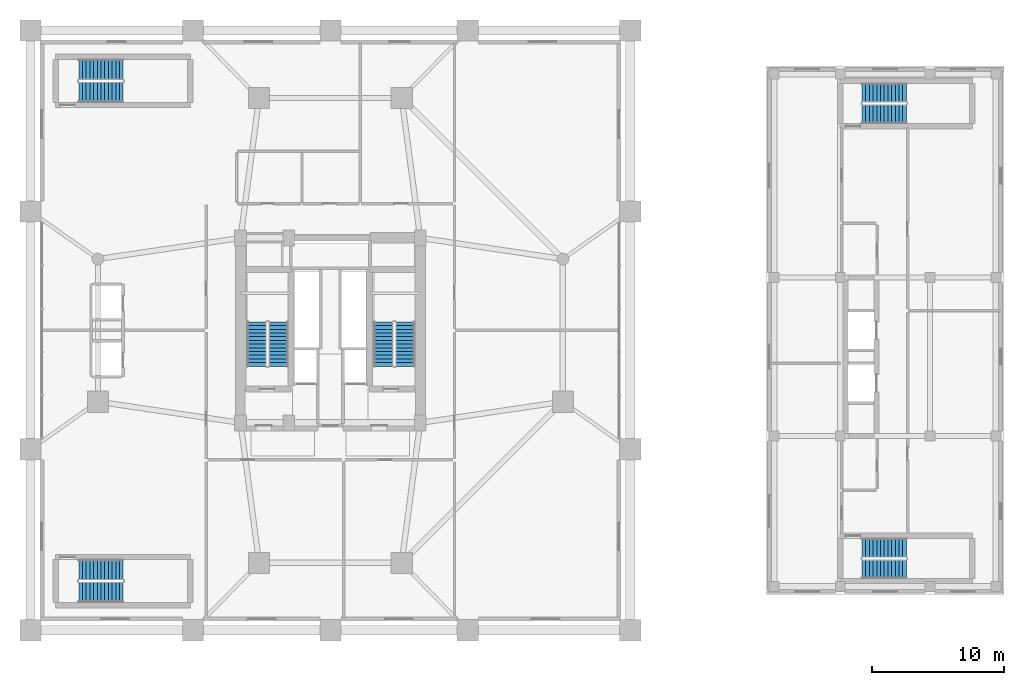
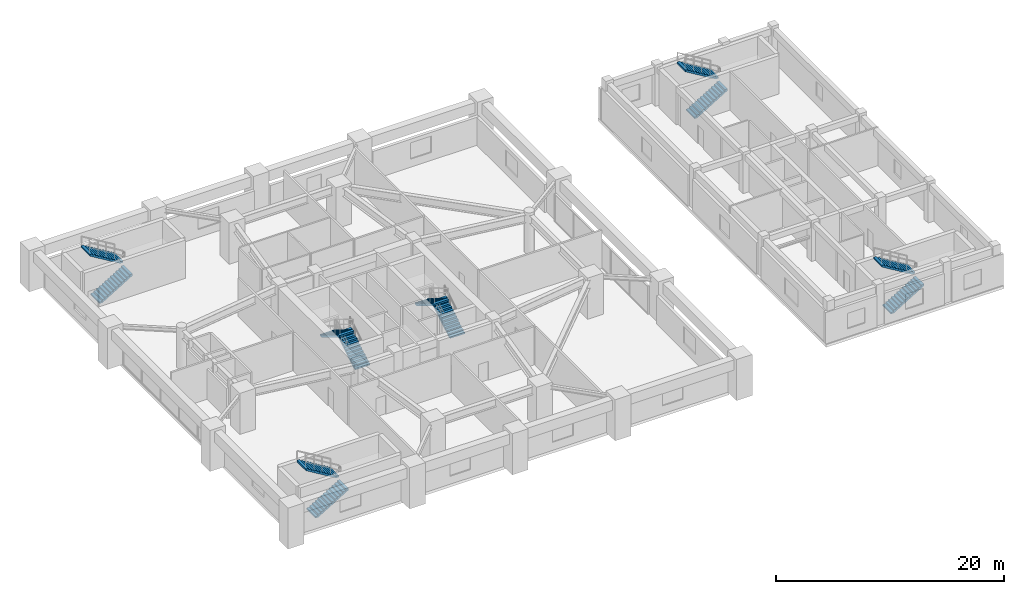
# One storey, part 18 of 22: 12 stair flights, 6 elements without a shape of their own.
"""IFC4 building model written with IfcOpenShell, lengths in metres."""

import ifcopenshell
import ifcopenshell.guid

model = None  # the IFC model being written
_history = None  # IfcOwnerHistory: only IFC2X3 demands one
_inside = {}  # id of a spatial element -> (the spatial element, [elements in it])
_under = {}  # id of a project, library or spatial element -> (it, [spatial elements below it])
_declared = {}  # id of a project -> (the project, [libraries it declares])
_typed = {}  # id of a type object -> (the type object, [elements of that type])
_made_of = {}  # id of a material, layer set ... -> (it, [elements and type objects made of it])


def new_model(schema):
    """Start an empty IFC model of exactly this schema.

    Asked for "IFC4X3", IfcOpenShell would pick the latest addendum, in which some entities
    have other attributes; the version numbers below select the first issue.
    IFC2X3 requires an IfcOwnerHistory on every rooted entity: one is made here for all.
    """
    global model, _history
    if schema == "IFC4X3":
        model = ifcopenshell.file(schema_version=(4, 3, 0, 0))
    else:
        model = ifcopenshell.file(schema=schema)
    _inside.clear()
    _under.clear()
    _declared.clear()
    _typed.clear()
    _made_of.clear()
    _history = None
    if model.schema == "IFC2X3":
        org = make("IfcOrganization", Name="unknown")
        user = make(
            "IfcPersonAndOrganization",
            ThePerson=make("IfcPerson", FamilyName="unknown"),
            TheOrganization=org,
        )
        app = make(
            "IfcApplication",
            ApplicationDeveloper=org,
            Version="unknown",
            ApplicationFullName="unknown",
            ApplicationIdentifier="unknown",
        )
        _history = make(
            "IfcOwnerHistory",
            OwningUser=user,
            OwningApplication=app,
            ChangeAction="ADDED",
            CreationDate=0,
        )
    return model


def make(cls, **values):
    """One entity of the class cls with the attributes given. An attribute that is None is left unset."""
    return model.create_entity(
        cls, **{name: value for name, value in values.items() if value is not None}
    )


def rooted(cls, **values):
    """An entity with a GlobalId (a new one), such as an element, a storey or a relation."""
    return make(cls, GlobalId=ifcopenshell.guid.new(), OwnerHistory=_history, **values)


def si_unit(unit_type, name, prefix=None):
    """IfcSIUnit, for example si_unit("LENGTHUNIT", "METRE", prefix="MILLI")."""
    return make("IfcSIUnit", UnitType=unit_type, Prefix=prefix, Name=name)


def assignment(units):
    """IfcUnitAssignment: the units of a project."""
    return None if units is None else make("IfcUnitAssignment", Units=units)


def point(xyz):
    """IfcCartesianPoint."""
    return None if xyz is None else make("IfcCartesianPoint", Coordinates=xyz)


def direction(xyz):
    """IfcDirection."""
    return None if xyz is None else make("IfcDirection", DirectionRatios=xyz)


def frame(location, z_axis=None, x_axis=None):
    """IfcAxis2Placement3D, a coordinate frame: its origin and axes. An axis left out is left unset."""
    return make(
        "IfcAxis2Placement3D",
        Location=point(location),
        Axis=direction(z_axis),
        RefDirection=direction(x_axis),
    )


def origin():
    """The frame at (0, 0, 0) with its axes left unset."""
    return frame((0.0, 0.0, 0.0))


def place(relative_to, where):
    """IfcLocalPlacement: puts the frame where relative to a parent placement (None: the world)."""
    return make(
        "IfcLocalPlacement", PlacementRelTo=relative_to, RelativePlacement=where
    )


def context(
    kind, dimensions, precision=None, world=None, true_north=None, identifier=None
):
    """IfcGeometricRepresentationContext, for example the 3D "Model" context."""
    return make(
        "IfcGeometricRepresentationContext",
        ContextIdentifier=identifier,
        ContextType=kind,
        CoordinateSpaceDimension=dimensions,
        Precision=precision,
        WorldCoordinateSystem=world,
        TrueNorth=true_north,
    )


def subcontext(parent, identifier, kind, view, scale=None):
    """IfcGeometricRepresentationSubContext, for example "Body" below "Model"."""
    return make(
        "IfcGeometricRepresentationSubContext",
        ContextIdentifier=identifier,
        ContextType=kind,
        ParentContext=parent,
        TargetScale=scale,
        TargetView=view,
    )


def project(units=None, contexts=None):
    """IfcProject with its units and contexts."""
    return rooted(
        "IfcProject",
        Name="project",
        RepresentationContexts=contexts,
        UnitsInContext=assignment(units),
    )


def spatial(cls, under=None, at=None, **own):
    """A site, building, storey or space (cls), placed at a placement, below another one or the project."""
    s = rooted(cls, ObjectPlacement=at, **own)
    if under is not None:
        _under.setdefault(under.id(), (under, []))[1].append(s)
    return s


def polyline(points):
    """IfcPolyline through the points."""
    return make("IfcPolyline", Points=[point(p) for p in points])


def outline(outer, holes=None, kind="AREA"):
    """IfcArbitraryClosedProfileDef: a profile drawn as a closed curve; with holes, ...WithVoids."""
    if holes is None:
        return make("IfcArbitraryClosedProfileDef", ProfileType=kind, OuterCurve=outer)
    return make(
        "IfcArbitraryProfileDefWithVoids",
        ProfileType=kind,
        OuterCurve=outer,
        InnerCurves=holes,
    )


def extrude(swept, where, along, depth):
    """IfcExtrudedAreaSolid: the profile swept, set in the frame where, extruded along a direction by depth."""
    return make(
        "IfcExtrudedAreaSolid",
        SweptArea=swept,
        Position=where,
        ExtrudedDirection=direction(along),
        Depth=depth,
    )


def shape(context_of_items, identifier, shape_type, items):
    """IfcShapeRepresentation: the items that make up one representation, for example the "Body"."""
    return make(
        "IfcShapeRepresentation",
        ContextOfItems=context_of_items,
        RepresentationIdentifier=identifier,
        RepresentationType=shape_type,
        Items=items,
    )


def material(Name=None, Category=None):
    """IfcMaterial."""
    return make("IfcMaterial", Name=Name, Category=Category)


def made_of(thing, what):
    """Note that an element or type object is made of a material, layer set ...; save() writes the relation."""
    if what is not None:
        _made_of.setdefault(what.id(), (what, []))[1].append(thing)
    return thing


def type_object(cls, material=None, **own):
    """A type object (cls), such as IfcWallType, which elements share."""
    return made_of(rooted(cls, **own), material)


def element(
    cls,
    number,
    at=None,
    inside=None,
    cuts=None,
    type_object=None,
    material=None,
    context=None,
    identifier="Body",
    shape_type=None,
    held_by="IfcProductDefinitionShape",
    body=None,
    shapes=None,
    **own,
):
    """One element of the class cls, such as IfcWall. Its Tag is "e" and its number.

    at: its placement. inside: the storey or other place that contains it. cuts: it is an
    opening in that element (IfcRelVoidsElement). A single representation is given by context,
    identifier, shape_type and body (its items); several are given by shapes. held_by: the class
    of the entity that holds the representations. save() writes the other relations.
    """
    e = rooted(cls, Tag="e%d" % number, ObjectPlacement=at, **own)
    if body is not None:
        shapes = [shape(context, identifier, shape_type, body)]
    if shapes is not None:
        e.Representation = make(held_by, Representations=shapes)
    if inside is not None:
        _inside.setdefault(inside.id(), (inside, []))[1].append(e)
    if cuts is not None:
        rooted(
            "IfcRelVoidsElement", RelatingBuildingElement=cuts, RelatedOpeningElement=e
        )
    if type_object is not None:
        _typed.setdefault(type_object.id(), (type_object, []))[1].append(e)
    return made_of(e, material)


def aggregate(whole, parts):
    """IfcRelAggregates: a whole, such as a stair, and the parts it consists of."""
    return rooted("IfcRelAggregates", RelatingObject=whole, RelatedObjects=parts)


def save(model, path):
    """Write the relations noted so far, then the file.

    IfcRelAggregates (storeys below a building ...), IfcRelContainedInSpatialStructure (elements
    in a storey), IfcRelDefinesByType, IfcRelAssociatesMaterial and IfcRelDeclares: one each for
    every whole, place, type object, material and project.
    """
    for whole, parts in _under.values():
        aggregate(whole, parts)
    for where, things in _inside.values():
        rooted(
            "IfcRelContainedInSpatialStructure",
            RelatedElements=things,
            RelatingStructure=where,
        )
    for kind, things in _typed.values():
        rooted("IfcRelDefinesByType", RelatedObjects=things, RelatingType=kind)
    for what, things in _made_of.values():
        rooted("IfcRelAssociatesMaterial", RelatedObjects=things, RelatingMaterial=what)
    for by, libraries in _declared.values():
        rooted("IfcRelDeclares", RelatingContext=by, RelatedDefinitions=libraries)
    model.write(path)


model = new_model("IFC4")

# Units and contexts
model_context = context("Model", 3, precision=1e-05, world=origin(), true_north=direction((0.0, 1.0)))
body_context = subcontext(model_context, "Body", "Model", "MODEL_VIEW")
ifc_project = project(units=[si_unit("LENGTHUNIT", "METRE"), si_unit("AREAUNIT", "SQUARE_METRE"), si_unit("VOLUMEUNIT", "CUBIC_METRE"), si_unit("PLANEANGLEUNIT", "RADIAN"), si_unit("MASSUNIT", "GRAM", prefix="KILO")], contexts=[model_context])

# Site, building, storey
site_placement = place(None, origin())
site = spatial("IfcSite", under=ifc_project, at=site_placement, CompositionType="ELEMENT")
building_placement = place(site_placement, origin())
building = spatial("IfcBuilding", under=site, at=building_placement, Name="Veraguas Prism Commons", CompositionType="ELEMENT")
storey_placement = place(building_placement, frame((0.0, 0.0, 5.199951171875)))
storey = spatial("IfcBuildingStorey", under=building, at=storey_placement, Name="L01", CompositionType="ELEMENT", Elevation=5.199951171875)

# Stair, stair flights
ifc_material = material(Name="Precast concrete C45/55", Category="concrete")
stair_type_1 = type_object("IfcStairType", Name="Dogleg Core Stair 1450W 26R 14", PredefinedType="HALF_TURN_STAIR", material=ifc_material)
stair_1_placement = place(storey_placement, origin())
stair_1 = element("IfcStair", 1, at=stair_1_placement, inside=storey, type_object=stair_type_1, Name="Protected Exit Stair ST-H1 L01", PredefinedType="HALF_TURN_STAIR")
stair_flight_type_1 = type_object("IfcStairFlightType", Name="Precast Stair Flight 1450W 13R 14", PredefinedType="STRAIGHT", material=ifc_material)
stair_flight_1_placement = place(storey_placement, frame((64.25, 5.925048828125, 0.0), z_axis=(0.0, 0.0, 1.0), x_axis=(1.0, 0.0, 0.0)))
stair_flight_1 = element("IfcStairFlight", 2, at=stair_flight_1_placement, type_object=stair_flight_type_1, Name="ST-14 Flight 1", NumberOfRisers=13, NumberOfTreads=12, PredefinedType="STRAIGHT", RiserHeight=0.169230769, TreadLength=0.28, context=body_context, shape_type="SweptSolid", body=[
    extrude(outline(polyline([(0.0, 0.0), (0.0, 0.169189453125), (0.280029296875, 0.169189453125), (0.280029296875, 0.33837890625), (0.56005859375, 0.33837890625), (0.56005859375, 0.5078125), (0.840087890625, 0.5078125), (0.840087890625, 0.677001953125), (1.1201171875, 0.677001953125), (1.1201171875, 0.84619140625), (1.39990234375, 0.84619140625), (1.39990234375, 1.015380859375), (1.679931640625, 1.015380859375), (1.679931640625, 1.1845703125), (1.9599609375, 1.1845703125), (1.9599609375, 1.353759765625), (2.239990234375, 1.353759765625), (2.239990234375, 1.523193359375), (2.52001953125, 1.523193359375), (2.52001953125, 1.6923828125), (2.800048828125, 1.6923828125), (2.800048828125, 1.861572265625), (3.080078125, 1.861572265625), (3.080078125, 2.03076171875), (3.360107421875, 2.03076171875), (3.360107421875, 2.199951171875), (3.360107421875, 1.855712890625), (0.289794921875, 0.0), (0.0, 0.0)])), frame((0.0, 0.72509765625, 0.0), z_axis=(0.0, -1.0, 0.0), x_axis=(1.0, 0.0, 0.0)), (0.0, 0.0, 1.0), 1.449951171875),
])
stair_flight_2_placement = place(storey_placement, frame((67.610107421875, 7.52490234375, 2.199951171875), z_axis=(0.0, 0.0, 1.0), x_axis=(-1.0, 0.0, 0.0)))
stair_flight_2 = element("IfcStairFlight", 3, at=stair_flight_2_placement, type_object=stair_flight_type_1, Name="ST-14 Flight 2", NumberOfRisers=13, NumberOfTreads=12, PredefinedType="STRAIGHT", RiserHeight=0.169230769, TreadLength=0.28, context=body_context, shape_type="SweptSolid", body=[
    extrude(outline(polyline([(0.0, 0.0), (0.0, 0.169189453125), (0.280029296875, 0.169189453125), (0.280029296875, 0.33837890625), (0.56005859375, 0.33837890625), (0.56005859375, 0.5078125), (0.840087890625, 0.5078125), (0.840087890625, 0.677001953125), (1.1201171875, 0.677001953125), (1.1201171875, 0.84619140625), (1.39990234375, 0.84619140625), (1.39990234375, 1.015380859375), (1.679931640625, 1.015380859375), (1.679931640625, 1.1845703125), (1.9599609375, 1.1845703125), (1.9599609375, 1.353759765625), (2.239990234375, 1.353759765625), (2.239990234375, 1.523193359375), (2.52001953125, 1.523193359375), (2.52001953125, 1.6923828125), (2.800048828125, 1.6923828125), (2.800048828125, 1.861572265625), (3.080078125, 1.861572265625), (3.080078125, 2.03076171875), (3.360107421875, 2.03076171875), (3.360107421875, 2.199951171875), (3.360107421875, 1.855712890625), (0.289794921875, 0.0), (0.0, 0.0)])), frame((0.0, 0.72509765625, 0.0), z_axis=(0.0, -1.0, 0.0), x_axis=(1.0, 0.0, 0.0)), (0.0, 0.0, 1.0), 1.449951171875),
])
aggregate(stair_1, [stair_flight_1, stair_flight_2])

stair_2_placement = place(storey_placement, origin())
stair_2 = element("IfcStair", 4, at=stair_2_placement, inside=storey, type_object=stair_type_1, Name="Protected Exit Stair ST-H2 L01", PredefinedType="HALF_TURN_STAIR")
stair_flight_3_placement = place(storey_placement, frame((64.25, 40.385009765625, 0.0), z_axis=(0.0, 0.0, 1.0), x_axis=(1.0, 0.0, 0.0)))
stair_flight_3 = element("IfcStairFlight", 5, at=stair_flight_3_placement, type_object=stair_flight_type_1, Name="ST-14 Flight 1", NumberOfRisers=13, NumberOfTreads=12, PredefinedType="STRAIGHT", RiserHeight=0.169230769, TreadLength=0.28, context=body_context, shape_type="SweptSolid", body=[
    extrude(outline(polyline([(0.0, 0.0), (0.0, 0.169189453125), (0.280029296875, 0.169189453125), (0.280029296875, 0.33837890625), (0.56005859375, 0.33837890625), (0.56005859375, 0.5078125), (0.840087890625, 0.5078125), (0.840087890625, 0.677001953125), (1.1201171875, 0.677001953125), (1.1201171875, 0.84619140625), (1.39990234375, 0.84619140625), (1.39990234375, 1.015380859375), (1.679931640625, 1.015380859375), (1.679931640625, 1.1845703125), (1.9599609375, 1.1845703125), (1.9599609375, 1.353759765625), (2.239990234375, 1.353759765625), (2.239990234375, 1.523193359375), (2.52001953125, 1.523193359375), (2.52001953125, 1.6923828125), (2.800048828125, 1.6923828125), (2.800048828125, 1.861572265625), (3.080078125, 1.861572265625), (3.080078125, 2.03076171875), (3.360107421875, 2.03076171875), (3.360107421875, 2.199951171875), (3.360107421875, 1.855712890625), (0.289794921875, 0.0), (0.0, 0.0)])), frame((0.0, 0.72509765625, 0.0), z_axis=(0.0, -1.0, 0.0), x_axis=(1.0, 0.0, 0.0)), (0.0, 0.0, 1.0), 1.449951171875),
])
stair_flight_4_placement = place(storey_placement, frame((67.610107421875, 41.985107421875, 2.199951171875), z_axis=(0.0, 0.0, 1.0), x_axis=(-1.0, 0.0, 0.0)))
stair_flight_4 = element("IfcStairFlight", 6, at=stair_flight_4_placement, type_object=stair_flight_type_1, Name="ST-14 Flight 2", NumberOfRisers=13, NumberOfTreads=12, PredefinedType="STRAIGHT", RiserHeight=0.169230769, TreadLength=0.28, context=body_context, shape_type="SweptSolid", body=[
    extrude(outline(polyline([(0.0, 0.0), (0.0, 0.169189453125), (0.280029296875, 0.169189453125), (0.280029296875, 0.33837890625), (0.56005859375, 0.33837890625), (0.56005859375, 0.5078125), (0.840087890625, 0.5078125), (0.840087890625, 0.677001953125), (1.1201171875, 0.677001953125), (1.1201171875, 0.84619140625), (1.39990234375, 0.84619140625), (1.39990234375, 1.015380859375), (1.679931640625, 1.015380859375), (1.679931640625, 1.1845703125), (1.9599609375, 1.1845703125), (1.9599609375, 1.353759765625), (2.239990234375, 1.353759765625), (2.239990234375, 1.523193359375), (2.52001953125, 1.523193359375), (2.52001953125, 1.6923828125), (2.800048828125, 1.6923828125), (2.800048828125, 1.861572265625), (3.080078125, 1.861572265625), (3.080078125, 2.03076171875), (3.360107421875, 2.03076171875), (3.360107421875, 2.199951171875), (3.360107421875, 1.855712890625), (0.289794921875, 0.0), (0.0, 0.0)])), frame((0.0, 0.72509765625, 0.0), z_axis=(0.0, -1.0, 0.0), x_axis=(1.0, 0.0, 0.0)), (0.0, 0.0, 1.0), 1.449951171875),
])
aggregate(stair_2, [stair_flight_3, stair_flight_4])

stair_type_2 = type_object("IfcStairType", Name="Dogleg Core Stair 1480W 26R 03", PredefinedType="HALF_TURN_STAIR", material=ifc_material)
stair_3_placement = place(storey_placement, origin())
stair_3 = element("IfcStair", 7, at=stair_3_placement, inside=storey, type_object=stair_type_2, Name="Protected Exit Stair ST-01 L01", PredefinedType="HALF_TURN_STAIR")
stair_flight_type_2 = type_object("IfcStairFlightType", Name="Precast Stair Flight 1480W 13R 03", PredefinedType="STRAIGHT", material=ifc_material)
stair_flight_5_placement = place(storey_placement, frame((20.06005859375, 21.280029296875, 0.0), z_axis=(0.0, 0.0, 1.0), x_axis=(0.0, 1.0, 0.0)))
stair_flight_5 = element("IfcStairFlight", 8, at=stair_flight_5_placement, type_object=stair_flight_type_2, Name="ST-03 Flight 1", NumberOfRisers=13, NumberOfTreads=12, PredefinedType="STRAIGHT", RiserHeight=0.169230769, TreadLength=0.28, context=body_context, shape_type="SweptSolid", body=[
    extrude(outline(polyline([(0.0, 0.0), (0.0, 0.169189453125), (0.280029296875, 0.169189453125), (0.280029296875, 0.33837890625), (0.56005859375, 0.33837890625), (0.56005859375, 0.5078125), (0.840087890625, 0.5078125), (0.840087890625, 0.677001953125), (1.1201171875, 0.677001953125), (1.1201171875, 0.84619140625), (1.39990234375, 0.84619140625), (1.39990234375, 1.015380859375), (1.679931640625, 1.015380859375), (1.679931640625, 1.1845703125), (1.9599609375, 1.1845703125), (1.9599609375, 1.353759765625), (2.239990234375, 1.353759765625), (2.239990234375, 1.523193359375), (2.52001953125, 1.523193359375), (2.52001953125, 1.6923828125), (2.800048828125, 1.6923828125), (2.800048828125, 1.861572265625), (3.080078125, 1.861572265625), (3.080078125, 2.03076171875), (3.360107421875, 2.03076171875), (3.360107421875, 2.199951171875), (3.360107421875, 1.855712890625), (0.289794921875, 0.0), (0.0, 0.0)])), frame((0.0, 0.739990234375, 0.0), z_axis=(0.0, -1.0, 0.0), x_axis=(1.0, 0.0, 0.0)), (0.0, 0.0, 1.0), 1.47998046875),
])
stair_flight_6_placement = place(storey_placement, frame((18.429931640625, 24.639892578125, 2.199951171875), z_axis=(0.0, 0.0, 1.0), x_axis=(0.0, -1.0, 0.0)))
stair_flight_6 = element("IfcStairFlight", 9, at=stair_flight_6_placement, type_object=stair_flight_type_2, Name="ST-03 Flight 2", NumberOfRisers=13, NumberOfTreads=12, PredefinedType="STRAIGHT", RiserHeight=0.169230769, TreadLength=0.28, context=body_context, shape_type="SweptSolid", body=[
    extrude(outline(polyline([(0.0, 0.0), (0.0, 0.169189453125), (0.280029296875, 0.169189453125), (0.280029296875, 0.33837890625), (0.56005859375, 0.33837890625), (0.56005859375, 0.5078125), (0.840087890625, 0.5078125), (0.840087890625, 0.677001953125), (1.1201171875, 0.677001953125), (1.1201171875, 0.84619140625), (1.39990234375, 0.84619140625), (1.39990234375, 1.015380859375), (1.679931640625, 1.015380859375), (1.679931640625, 1.1845703125), (1.9599609375, 1.1845703125), (1.9599609375, 1.353759765625), (2.239990234375, 1.353759765625), (2.239990234375, 1.523193359375), (2.52001953125, 1.523193359375), (2.52001953125, 1.6923828125), (2.800048828125, 1.6923828125), (2.800048828125, 1.861572265625), (3.080078125, 1.861572265625), (3.080078125, 2.03076171875), (3.360107421875, 2.03076171875), (3.360107421875, 2.199951171875), (3.360107421875, 1.855712890625), (0.289794921875, 0.0), (0.0, 0.0)])), frame((0.0, 0.739990234375, 0.0), z_axis=(0.0, -1.0, 0.0), x_axis=(1.0, 0.0, 0.0)), (0.0, 0.0, 1.0), 1.47998046875),
])
aggregate(stair_3, [stair_flight_5, stair_flight_6])

stair_4_placement = place(storey_placement, origin())
stair_4 = element("IfcStair", 10, at=stair_4_placement, inside=storey, type_object=stair_type_2, Name="Protected Exit Stair ST-02 L01", PredefinedType="HALF_TURN_STAIR")
stair_flight_7_placement = place(storey_placement, frame((29.659912109375, 21.280029296875, 0.0), z_axis=(0.0, 0.0, 1.0), x_axis=(0.0, 1.0, 0.0)))
stair_flight_7 = element("IfcStairFlight", 11, at=stair_flight_7_placement, type_object=stair_flight_type_2, Name="ST-03 Flight 1", NumberOfRisers=13, NumberOfTreads=12, PredefinedType="STRAIGHT", RiserHeight=0.169230769, TreadLength=0.28, context=body_context, shape_type="SweptSolid", body=[
    extrude(outline(polyline([(0.0, 0.0), (0.0, 0.169189453125), (0.280029296875, 0.169189453125), (0.280029296875, 0.33837890625), (0.56005859375, 0.33837890625), (0.56005859375, 0.5078125), (0.840087890625, 0.5078125), (0.840087890625, 0.677001953125), (1.1201171875, 0.677001953125), (1.1201171875, 0.84619140625), (1.39990234375, 0.84619140625), (1.39990234375, 1.015380859375), (1.679931640625, 1.015380859375), (1.679931640625, 1.1845703125), (1.9599609375, 1.1845703125), (1.9599609375, 1.353759765625), (2.239990234375, 1.353759765625), (2.239990234375, 1.523193359375), (2.52001953125, 1.523193359375), (2.52001953125, 1.6923828125), (2.800048828125, 1.6923828125), (2.800048828125, 1.861572265625), (3.080078125, 1.861572265625), (3.080078125, 2.03076171875), (3.360107421875, 2.03076171875), (3.360107421875, 2.199951171875), (3.360107421875, 1.855712890625), (0.289794921875, 0.0), (0.0, 0.0)])), frame((0.0, 0.739990234375, 0.0), z_axis=(0.0, -1.0, 0.0), x_axis=(1.0, 0.0, 0.0)), (0.0, 0.0, 1.0), 1.47998046875),
])
stair_flight_8_placement = place(storey_placement, frame((28.030029296875, 24.639892578125, 2.199951171875), z_axis=(0.0, 0.0, 1.0), x_axis=(0.0, -1.0, 0.0)))
stair_flight_8 = element("IfcStairFlight", 12, at=stair_flight_8_placement, type_object=stair_flight_type_2, Name="ST-03 Flight 2", NumberOfRisers=13, NumberOfTreads=12, PredefinedType="STRAIGHT", RiserHeight=0.169230769, TreadLength=0.28, context=body_context, shape_type="SweptSolid", body=[
    extrude(outline(polyline([(0.0, 0.0), (0.0, 0.169189453125), (0.280029296875, 0.169189453125), (0.280029296875, 0.33837890625), (0.56005859375, 0.33837890625), (0.56005859375, 0.5078125), (0.840087890625, 0.5078125), (0.840087890625, 0.677001953125), (1.1201171875, 0.677001953125), (1.1201171875, 0.84619140625), (1.39990234375, 0.84619140625), (1.39990234375, 1.015380859375), (1.679931640625, 1.015380859375), (1.679931640625, 1.1845703125), (1.9599609375, 1.1845703125), (1.9599609375, 1.353759765625), (2.239990234375, 1.353759765625), (2.239990234375, 1.523193359375), (2.52001953125, 1.523193359375), (2.52001953125, 1.6923828125), (2.800048828125, 1.6923828125), (2.800048828125, 1.861572265625), (3.080078125, 1.861572265625), (3.080078125, 2.03076171875), (3.360107421875, 2.03076171875), (3.360107421875, 2.199951171875), (3.360107421875, 1.855712890625), (0.289794921875, 0.0), (0.0, 0.0)])), frame((0.0, 0.739990234375, 0.0), z_axis=(0.0, -1.0, 0.0), x_axis=(1.0, 0.0, 0.0)), (0.0, 0.0, 1.0), 1.47998046875),
])
aggregate(stair_4, [stair_flight_7, stair_flight_8])

stair_type_3 = type_object("IfcStairType", Name="Dogleg Core Stair 1550W 26R 11", PredefinedType="HALF_TURN_STAIR", material=ifc_material)
stair_5_placement = place(storey_placement, origin())
stair_5 = element("IfcStair", 13, at=stair_5_placement, inside=storey, type_object=stair_type_3, Name="Protected Exit Stair ST-M1 L01", PredefinedType="HALF_TURN_STAIR")
stair_flight_type_3 = type_object("IfcStairFlightType", Name="Precast Stair Flight 1550W 13R 11", PredefinedType="STRAIGHT", material=ifc_material)
stair_flight_9_placement = place(storey_placement, frame((4.949951171875, 4.175048828125, 0.0), z_axis=(0.0, 0.0, 1.0), x_axis=(1.0, 0.0, 0.0)))
stair_flight_9 = element("IfcStairFlight", 14, at=stair_flight_9_placement, type_object=stair_flight_type_3, Name="ST-11 Flight 1", NumberOfRisers=13, NumberOfTreads=12, PredefinedType="STRAIGHT", RiserHeight=0.169230769, TreadLength=0.28, context=body_context, shape_type="SweptSolid", body=[
    extrude(outline(polyline([(0.0, 0.0), (0.0, 0.169189453125), (0.280029296875, 0.169189453125), (0.280029296875, 0.33837890625), (0.56005859375, 0.33837890625), (0.56005859375, 0.5078125), (0.840087890625, 0.5078125), (0.840087890625, 0.677001953125), (1.1201171875, 0.677001953125), (1.1201171875, 0.84619140625), (1.39990234375, 0.84619140625), (1.39990234375, 1.015380859375), (1.679931640625, 1.015380859375), (1.679931640625, 1.1845703125), (1.9599609375, 1.1845703125), (1.9599609375, 1.353759765625), (2.239990234375, 1.353759765625), (2.239990234375, 1.523193359375), (2.52001953125, 1.523193359375), (2.52001953125, 1.6923828125), (2.800048828125, 1.6923828125), (2.800048828125, 1.861572265625), (3.080078125, 1.861572265625), (3.080078125, 2.03076171875), (3.360107421875, 2.03076171875), (3.360107421875, 2.199951171875), (3.360107421875, 1.855712890625), (0.289794921875, 0.0), (0.0, 0.0)])), frame((0.0, 0.77490234375, 0.0), z_axis=(0.0, -1.0, 0.0), x_axis=(1.0, 0.0, 0.0)), (0.0, 0.0, 1.0), 1.550048828125),
])
stair_flight_10_placement = place(storey_placement, frame((8.31005859375, 5.875, 2.199951171875), z_axis=(0.0, 0.0, 1.0), x_axis=(-1.0, 0.0, 0.0)))
stair_flight_10 = element("IfcStairFlight", 15, at=stair_flight_10_placement, type_object=stair_flight_type_3, Name="ST-11 Flight 2", NumberOfRisers=13, NumberOfTreads=12, PredefinedType="STRAIGHT", RiserHeight=0.169230769, TreadLength=0.28, context=body_context, shape_type="SweptSolid", body=[
    extrude(outline(polyline([(0.0, 0.0), (0.0, 0.169189453125), (0.280029296875, 0.169189453125), (0.280029296875, 0.33837890625), (0.56005859375, 0.33837890625), (0.56005859375, 0.5078125), (0.840087890625, 0.5078125), (0.840087890625, 0.677001953125), (1.1201171875, 0.677001953125), (1.1201171875, 0.84619140625), (1.39990234375, 0.84619140625), (1.39990234375, 1.015380859375), (1.679931640625, 1.015380859375), (1.679931640625, 1.1845703125), (1.9599609375, 1.1845703125), (1.9599609375, 1.353759765625), (2.239990234375, 1.353759765625), (2.239990234375, 1.523193359375), (2.52001953125, 1.523193359375), (2.52001953125, 1.6923828125), (2.800048828125, 1.6923828125), (2.800048828125, 1.861572265625), (3.080078125, 1.861572265625), (3.080078125, 2.03076171875), (3.360107421875, 2.03076171875), (3.360107421875, 2.199951171875), (3.360107421875, 1.855712890625), (0.289794921875, 0.0), (0.0, 0.0)])), frame((0.0, 0.77490234375, 0.0), z_axis=(0.0, -1.0, 0.0), x_axis=(1.0, 0.0, 0.0)), (0.0, 0.0, 1.0), 1.550048828125),
])
aggregate(stair_5, [stair_flight_9, stair_flight_10])

stair_6_placement = place(storey_placement, origin())
stair_6 = element("IfcStair", 16, at=stair_6_placement, inside=storey, type_object=stair_type_3, Name="Protected Exit Stair ST-M2 L01", PredefinedType="HALF_TURN_STAIR")
stair_flight_11_placement = place(storey_placement, frame((4.949951171875, 42.034912109375, 0.0), z_axis=(0.0, 0.0, 1.0), x_axis=(1.0, 0.0, 0.0)))
stair_flight_11 = element("IfcStairFlight", 17, at=stair_flight_11_placement, type_object=stair_flight_type_3, Name="ST-11 Flight 1", NumberOfRisers=13, NumberOfTreads=12, PredefinedType="STRAIGHT", RiserHeight=0.169230769, TreadLength=0.28, context=body_context, shape_type="SweptSolid", body=[
    extrude(outline(polyline([(0.0, 0.0), (0.0, 0.169189453125), (0.280029296875, 0.169189453125), (0.280029296875, 0.33837890625), (0.56005859375, 0.33837890625), (0.56005859375, 0.5078125), (0.840087890625, 0.5078125), (0.840087890625, 0.677001953125), (1.1201171875, 0.677001953125), (1.1201171875, 0.84619140625), (1.39990234375, 0.84619140625), (1.39990234375, 1.015380859375), (1.679931640625, 1.015380859375), (1.679931640625, 1.1845703125), (1.9599609375, 1.1845703125), (1.9599609375, 1.353759765625), (2.239990234375, 1.353759765625), (2.239990234375, 1.523193359375), (2.52001953125, 1.523193359375), (2.52001953125, 1.6923828125), (2.800048828125, 1.6923828125), (2.800048828125, 1.861572265625), (3.080078125, 1.861572265625), (3.080078125, 2.03076171875), (3.360107421875, 2.03076171875), (3.360107421875, 2.199951171875), (3.360107421875, 1.855712890625), (0.289794921875, 0.0), (0.0, 0.0)])), frame((0.0, 0.77490234375, 0.0), z_axis=(0.0, -1.0, 0.0), x_axis=(1.0, 0.0, 0.0)), (0.0, 0.0, 1.0), 1.550048828125),
])
stair_flight_12_placement = place(storey_placement, frame((8.31005859375, 43.735107421875, 2.199951171875), z_axis=(0.0, 0.0, 1.0), x_axis=(-1.0, 0.0, 0.0)))
stair_flight_12 = element("IfcStairFlight", 18, at=stair_flight_12_placement, type_object=stair_flight_type_3, Name="ST-11 Flight 2", NumberOfRisers=13, NumberOfTreads=12, PredefinedType="STRAIGHT", RiserHeight=0.169230769, TreadLength=0.28, context=body_context, shape_type="SweptSolid", body=[
    extrude(outline(polyline([(0.0, 0.0), (0.0, 0.169189453125), (0.280029296875, 0.169189453125), (0.280029296875, 0.33837890625), (0.56005859375, 0.33837890625), (0.56005859375, 0.5078125), (0.840087890625, 0.5078125), (0.840087890625, 0.677001953125), (1.1201171875, 0.677001953125), (1.1201171875, 0.84619140625), (1.39990234375, 0.84619140625), (1.39990234375, 1.015380859375), (1.679931640625, 1.015380859375), (1.679931640625, 1.1845703125), (1.9599609375, 1.1845703125), (1.9599609375, 1.353759765625), (2.239990234375, 1.353759765625), (2.239990234375, 1.523193359375), (2.52001953125, 1.523193359375), (2.52001953125, 1.6923828125), (2.800048828125, 1.6923828125), (2.800048828125, 1.861572265625), (3.080078125, 1.861572265625), (3.080078125, 2.03076171875), (3.360107421875, 2.03076171875), (3.360107421875, 2.199951171875), (3.360107421875, 1.855712890625), (0.289794921875, 0.0), (0.0, 0.0)])), frame((0.0, 0.77490234375, 0.0), z_axis=(0.0, -1.0, 0.0), x_axis=(1.0, 0.0, 0.0)), (0.0, 0.0, 1.0), 1.550048828125),
])
aggregate(stair_6, [stair_flight_11, stair_flight_12])

save(model, "model.ifc")
